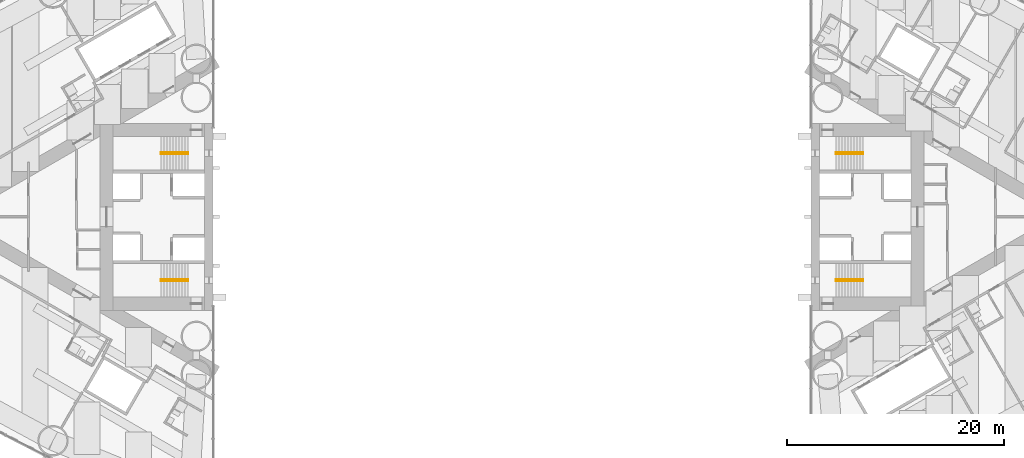
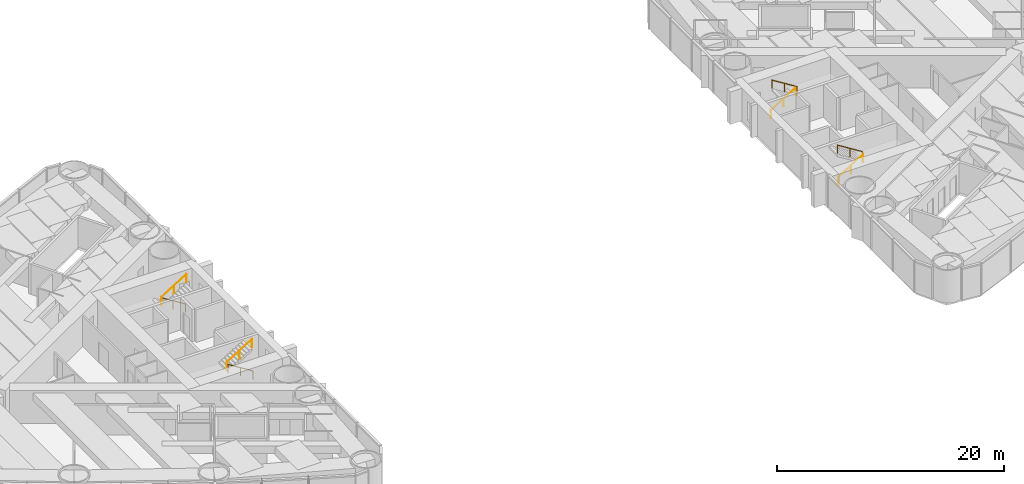
# One storey, part 17 of 18: 8 railings.
"""IFC4 building model written with IfcOpenShell, lengths in metres."""

from ifc_helpers import new_model, si_unit, direction, frame, origin, origin_2d, place, context, subcontext, project, spatial, circle, extrude, material, type_object, element, save


model = new_model("IFC4")

# Units and contexts
model_context = context("Model", 3, precision=1e-05, world=origin(), true_north=direction((0.0, 1.0)))
body_context = subcontext(model_context, "Body", "Model", "MODEL_VIEW")
ifc_project = project(units=[si_unit("LENGTHUNIT", "METRE"), si_unit("AREAUNIT", "SQUARE_METRE"), si_unit("VOLUMEUNIT", "CUBIC_METRE"), si_unit("PLANEANGLEUNIT", "RADIAN"), si_unit("MASSUNIT", "GRAM", prefix="KILO")], contexts=[model_context])

# Site, building, storey
site_placement = place(None, origin())
site = spatial("IfcSite", under=ifc_project, at=site_placement, CompositionType="ELEMENT")
building_placement = place(site_placement, origin())
building = spatial("IfcBuilding", under=site, at=building_placement, Name="Lancet Gate Hotel", CompositionType="ELEMENT")
storey_placement = place(building_placement, frame((0.0, 0.0, 53.0)))
storey = spatial("IfcBuildingStorey", under=building, at=storey_placement, Name="L13", CompositionType="ELEMENT", Elevation=53.0)

# Railings
ifc_material = material(Name="Stainless steel handrail", Category="steel")
railing_type = type_object("IfcRailingType", Name="Stair handrail 900", PredefinedType="HANDRAIL", material=ifc_material)
railing_1_placement = place(storey_placement, frame((-29.800048828125, 5.929931640625, 0.175048828125)))
element("IfcRailing", 1, at=railing_1_placement, inside=storey, type_object=railing_type, Name="ST1 handrail flight 1 L13", PredefinedType="HANDRAIL", context=body_context, shape_type="SweptSolid", body=[
    extrude(circle(Radius=0.02392578125, at=origin_2d()), frame((0.0, 0.0, 0.8759765625), z_axis=(-0.848007534815, 0.0, 0.529984170421), x_axis=(0.0, -1.0, 0.0)), (0.0, 0.0, 1.0), 2.9716796875),
    extrude(circle(Radius=0.02099609375, at=origin_2d()), origin(), (0.0, 0.0, 1.0), 0.851806640625),
    extrude(circle(Radius=0.02099609375, at=origin_2d()), frame((-1.260009765625, 0.0, 0.78759765625)), (0.0, 0.0, 1.0), 0.851806640625),
    extrude(circle(Radius=0.02099609375, at=origin_2d()), frame((-2.52001953125, 0.0, 1.574951171875)), (0.0, 0.0, 1.0), 0.851806640625),
])
railing_2_placement = place(storey_placement, frame((-32.320068359375, 5.77001953125, 1.925048828125)))
element("IfcRailing", 2, at=railing_2_placement, inside=storey, type_object=railing_type, Name="ST1 handrail flight 2 L13", PredefinedType="HANDRAIL", context=body_context, shape_type="SweptSolid", body=[
    extrude(circle(Radius=0.02392578125, at=origin_2d()), frame((0.0, 0.0, 0.8759765625), z_axis=(0.848007534815, 0.0, 0.529984170421), x_axis=(0.0, 1.0, 0.0)), (0.0, 0.0, 1.0), 2.9716796875),
    extrude(circle(Radius=0.02099609375, at=origin_2d()), origin(), (0.0, 0.0, 1.0), 0.851806640625),
    extrude(circle(Radius=0.02099609375, at=origin_2d()), frame((1.260009765625, 0.0, 0.78759765625)), (0.0, 0.0, 1.0), 0.851806640625),
    extrude(circle(Radius=0.02099609375, at=origin_2d()), frame((2.52001953125, 0.0, 1.574951171875)), (0.0, 0.0, 1.0), 0.851806640625),
])
railing_3_placement = place(storey_placement, frame((-29.800048828125, -5.929931640625, 0.175048828125)))
element("IfcRailing", 3, at=railing_3_placement, inside=storey, type_object=railing_type, Name="ST2 handrail flight 1 L13", PredefinedType="HANDRAIL", context=body_context, shape_type="SweptSolid", body=[
    extrude(circle(Radius=0.02392578125, at=origin_2d()), frame((0.0, 0.0, 0.8759765625), z_axis=(-0.848007534815, 0.0, 0.529984170421), x_axis=(0.0, -1.0, 0.0)), (0.0, 0.0, 1.0), 2.9716796875),
    extrude(circle(Radius=0.02099609375, at=origin_2d()), origin(), (0.0, 0.0, 1.0), 0.851806640625),
    extrude(circle(Radius=0.02099609375, at=origin_2d()), frame((-1.260009765625, 0.0, 0.78759765625)), (0.0, 0.0, 1.0), 0.851806640625),
    extrude(circle(Radius=0.02099609375, at=origin_2d()), frame((-2.52001953125, 0.0, 1.574951171875)), (0.0, 0.0, 1.0), 0.851806640625),
])
for number, where, name in (
    (4, (-32.320068359375, -5.77001953125, 1.925048828125), "ST2 handrail flight 2 L13"),
    (5, (29.800048828125, -5.929931640625, 0.175048828125), "ST3 handrail flight 1 L13"),
):
    element("IfcRailing", number, at=place(storey_placement, frame(where)), inside=storey, type_object=railing_type, Name=name, PredefinedType="HANDRAIL", context=body_context, shape_type="SweptSolid", body=[
        extrude(circle(Radius=0.02392578125, at=origin_2d()), frame((0.0, 0.0, 0.8759765625), z_axis=(0.848007534815, 0.0, 0.529984170421), x_axis=(0.0, 1.0, 0.0)), (0.0, 0.0, 1.0), 2.9716796875),
        extrude(circle(Radius=0.02099609375, at=origin_2d()), origin(), (0.0, 0.0, 1.0), 0.851806640625),
        extrude(circle(Radius=0.02099609375, at=origin_2d()), frame((1.260009765625, 0.0, 0.78759765625)), (0.0, 0.0, 1.0), 0.851806640625),
        extrude(circle(Radius=0.02099609375, at=origin_2d()), frame((2.52001953125, 0.0, 1.574951171875)), (0.0, 0.0, 1.0), 0.851806640625),
    ])
railing_4_placement = place(storey_placement, frame((32.320068359375, -5.77001953125, 1.925048828125)))
element("IfcRailing", 6, at=railing_4_placement, inside=storey, type_object=railing_type, Name="ST3 handrail flight 2 L13", PredefinedType="HANDRAIL", context=body_context, shape_type="SweptSolid", body=[
    extrude(circle(Radius=0.02392578125, at=origin_2d()), frame((0.0, 0.0, 0.8759765625), z_axis=(-0.848007534815, 0.0, 0.529984170421), x_axis=(0.0, -1.0, 0.0)), (0.0, 0.0, 1.0), 2.9716796875),
    extrude(circle(Radius=0.02099609375, at=origin_2d()), origin(), (0.0, 0.0, 1.0), 0.851806640625),
    extrude(circle(Radius=0.02099609375, at=origin_2d()), frame((-1.260009765625, 0.0, 0.78759765625)), (0.0, 0.0, 1.0), 0.851806640625),
    extrude(circle(Radius=0.02099609375, at=origin_2d()), frame((-2.52001953125, 0.0, 1.574951171875)), (0.0, 0.0, 1.0), 0.851806640625),
])
railing_5_placement = place(storey_placement, frame((29.800048828125, 5.929931640625, 0.175048828125)))
element("IfcRailing", 7, at=railing_5_placement, inside=storey, type_object=railing_type, Name="ST4 handrail flight 1 L13", PredefinedType="HANDRAIL", context=body_context, shape_type="SweptSolid", body=[
    extrude(circle(Radius=0.02392578125, at=origin_2d()), frame((0.0, 0.0, 0.8759765625), z_axis=(0.848007534815, 0.0, 0.529984170421), x_axis=(0.0, 1.0, 0.0)), (0.0, 0.0, 1.0), 2.9716796875),
    extrude(circle(Radius=0.02099609375, at=origin_2d()), origin(), (0.0, 0.0, 1.0), 0.851806640625),
    extrude(circle(Radius=0.02099609375, at=origin_2d()), frame((1.260009765625, 0.0, 0.78759765625)), (0.0, 0.0, 1.0), 0.851806640625),
    extrude(circle(Radius=0.02099609375, at=origin_2d()), frame((2.52001953125, 0.0, 1.574951171875)), (0.0, 0.0, 1.0), 0.851806640625),
])
railing_6_placement = place(storey_placement, frame((32.320068359375, 5.77001953125, 1.925048828125)))
element("IfcRailing", 8, at=railing_6_placement, inside=storey, type_object=railing_type, Name="ST4 handrail flight 2 L13", PredefinedType="HANDRAIL", context=body_context, shape_type="SweptSolid", body=[
    extrude(circle(Radius=0.02392578125, at=origin_2d()), frame((0.0, 0.0, 0.8759765625), z_axis=(-0.848007534815, 0.0, 0.529984170421), x_axis=(0.0, -1.0, 0.0)), (0.0, 0.0, 1.0), 2.9716796875),
    extrude(circle(Radius=0.02099609375, at=origin_2d()), origin(), (0.0, 0.0, 1.0), 0.851806640625),
    extrude(circle(Radius=0.02099609375, at=origin_2d()), frame((-1.260009765625, 0.0, 0.78759765625)), (0.0, 0.0, 1.0), 0.851806640625),
    extrude(circle(Radius=0.02099609375, at=origin_2d()), frame((-2.52001953125, 0.0, 1.574951171875)), (0.0, 0.0, 1.0), 0.851806640625),
])

save(model, "model.ifc")
